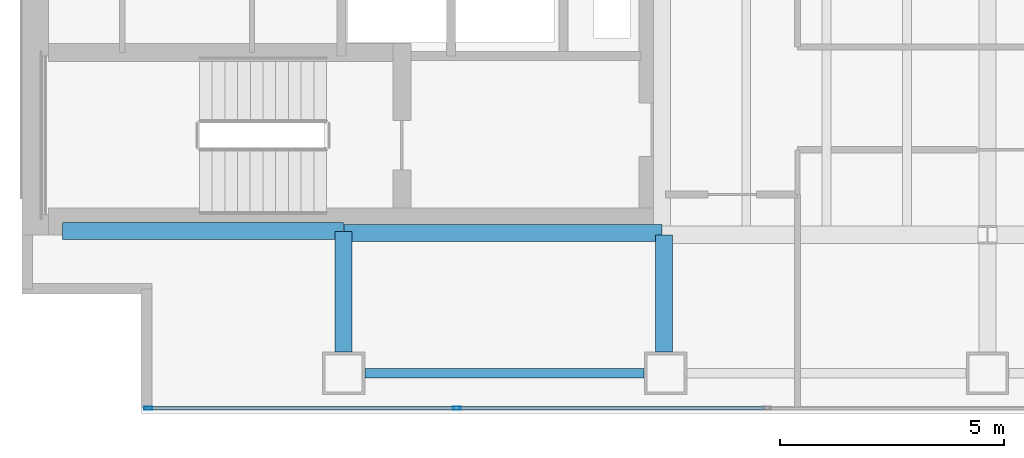
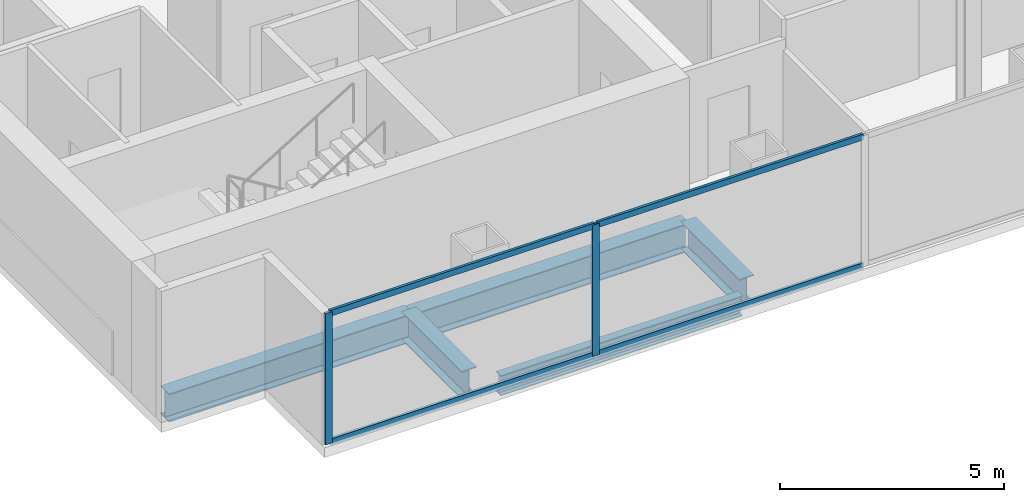
# One storey, part 2 of 23: 6 members, 5 beams, 1 element without a shape of its own.
"""IFC4 building model written with IfcOpenShell, lengths in metres."""

from ifc_helpers import new_model, si_unit, direction, frame, origin, origin_2d, place, context, subcontext, project, spatial, hollow_rectangle, i_section, extrude, material, material_profile, profile_set, type_object, element, aggregate, save


model = new_model("IFC4")

# Units and contexts
model_context = context("Model", 3, precision=1e-05, world=origin(), true_north=direction((0.0, 1.0)))
body_context = subcontext(model_context, "Body", "Model", "MODEL_VIEW")
ifc_project = project(units=[si_unit("LENGTHUNIT", "METRE"), si_unit("AREAUNIT", "SQUARE_METRE"), si_unit("VOLUMEUNIT", "CUBIC_METRE"), si_unit("PLANEANGLEUNIT", "RADIAN"), si_unit("MASSUNIT", "GRAM", prefix="KILO")], contexts=[model_context])

# Site, building, storey
site_placement = place(None, origin())
site = spatial("IfcSite", under=ifc_project, at=site_placement, CompositionType="ELEMENT")
building_placement = place(site_placement, origin())
building = spatial("IfcBuilding", under=site, at=building_placement, Name="Cobrela Telecom Tower", CompositionType="ELEMENT")
storey_placement = place(building_placement, frame((0.0, 0.0, 102.199951171875)))
storey = spatial("IfcBuildingStorey", under=building, at=storey_placement, Name="L25", CompositionType="ELEMENT", Elevation=102.199951171875)

# Beams
ifc_material_1 = material(Name="Steel ASTM A992 Grade 50", Category="steel")
ifc_material_profile_1 = material_profile(ifc_material_1, i_section(OverallWidth=0.381103515625, OverallDepth=0.77197265625, WebThickness=0.0166015625, FlangeThickness=0.027099609375, FilletRadius=0.01904296875, at=origin_2d()), Name="W30X173")
ifc_profile_set_1 = profile_set([ifc_material_profile_1], Name="Steel ASTM A992 Grade 50")
beam_type_1 = type_object("IfcBeamType", Name="BM-GIRD-04", PredefinedType="USERDEFINED", material=ifc_profile_set_1)
beam_1_placement = place(storey_placement, frame((0.905029296875, 7.280029296875, -0.656005859375), z_axis=(1.0, 0.0, 0.0), x_axis=(0.0, 1.0, 0.0)))
element("IfcBeam", 1, at=beam_1_placement, inside=storey, type_object=beam_type_1, Name="L25 Primary Girder X06", ObjectType="GIRDER", PredefinedType="USERDEFINED", context=body_context, shape_type="SweptSolid", body=[
    extrude(i_section(OverallWidth=0.381103515625, OverallDepth=0.77197265625, WebThickness=0.0166015625, FlangeThickness=0.027099609375, FilletRadius=0.01904296875, at=origin_2d()), origin(), (0.0, 0.0, 1.0), 6.2900390625),
])
beam_2_placement = place(storey_placement, frame((7.205078125, 7.239990234375, -0.656005859375), z_axis=(1.0, 0.0, 0.0), x_axis=(0.0, 1.0, 0.0)))
element("IfcBeam", 2, at=beam_2_placement, inside=storey, type_object=beam_type_1, Name="L25 Primary Girder X07", ObjectType="GIRDER", PredefinedType="USERDEFINED", context=body_context, shape_type="SweptSolid", body=[
    extrude(i_section(OverallWidth=0.381103515625, OverallDepth=0.77197265625, WebThickness=0.0166015625, FlangeThickness=0.027099609375, FilletRadius=0.01904296875, at=origin_2d()), origin(), (0.0, 0.0, 1.0), 7.10986328125),
])
beam_3_placement = place(storey_placement, frame((7.199951171875, 4.580078125, -0.656005859375), z_axis=(0.0, 1.0, 0.0), x_axis=(-1.0, 0.0, 0.0)))
element("IfcBeam", 3, at=beam_3_placement, inside=storey, type_object=beam_type_1, Name="L25 Primary Girder Y31", ObjectType="GIRDER", PredefinedType="USERDEFINED", context=body_context, shape_type="SweptSolid", body=[
    extrude(i_section(OverallWidth=0.381103515625, OverallDepth=0.77197265625, WebThickness=0.0166015625, FlangeThickness=0.027099609375, FilletRadius=0.01904296875, at=origin_2d()), origin(), (0.0, 0.0, 1.0), 2.69482421875),
])
beam_4_placement = place(storey_placement, frame((14.360107421875, 4.580078125, -0.656005859375), z_axis=(0.0, 1.0, 0.0), x_axis=(-1.0, 0.0, 0.0)))
element("IfcBeam", 4, at=beam_4_placement, inside=storey, type_object=beam_type_1, Name="L25 Primary Girder Y33", ObjectType="GIRDER", PredefinedType="USERDEFINED", context=body_context, shape_type="SweptSolid", body=[
    extrude(i_section(OverallWidth=0.381103515625, OverallDepth=0.77197265625, WebThickness=0.0166015625, FlangeThickness=0.027099609375, FilletRadius=0.01904296875, at=origin_2d()), origin(), (0.0, 0.0, 1.0), 2.614990234375),
])
ifc_material_profile_2 = material_profile(ifc_material_1, i_section(OverallWidth=0.212890625, OverallDepth=0.549072265625, WebThickness=0.0146484375, FlangeThickness=0.023681640625, FilletRadius=0.013916015625, at=origin_2d()), Name="W21X93")
ifc_profile_set_2 = profile_set([ifc_material_profile_2], Name="Steel ASTM A992 Grade 50")
beam_type_2 = type_object("IfcBeamType", Name="BM-SPAND-03", PredefinedType="SPANDREL", material=ifc_profile_set_2)
beam_5_placement = place(storey_placement, frame((7.679931640625, 4.10009765625, -0.54443359375), z_axis=(1.0, 0.0, 0.0), x_axis=(0.0, 1.0, 0.0)))
element("IfcBeam", 5, at=beam_5_placement, inside=storey, type_object=beam_type_2, Name="L25 Perimeter Spandrel X01", PredefinedType="SPANDREL", context=body_context, shape_type="SweptSolid", body=[
    extrude(i_section(OverallWidth=0.212890625, OverallDepth=0.549072265625, WebThickness=0.0146484375, FlangeThickness=0.023681640625, FilletRadius=0.013916015625, at=origin_2d()), origin(), (0.0, 0.0, 1.0), 6.239990234375),
])

# Curtain wall, members
ifc_material_2 = material(Name="Anodized Bronze Aluminium 6063-T6", Category="aluminium")
curtain_wall_type = type_object("IfcCurtainWallType", Name="CW-SYS-TEL", PredefinedType="USERDEFINED", material=ifc_material_2)
curtain_wall_placement = place(storey_placement, origin())
curtain_wall = element("IfcCurtainWall", 6, at=curtain_wall_placement, inside=storey, type_object=curtain_wall_type, Name="L25 Unitised Bronze Curtain Wall 17", ObjectType="UNITISED CURTAIN WALL", PredefinedType="USERDEFINED")
ifc_material_profile_3 = material_profile(ifc_material_2, hollow_rectangle(XDim=0.074951171875, YDim=0.179931640625, WallThickness=0.00390625, at=origin_2d()), Name="ALU 75x180x4")
ifc_profile_set_3 = profile_set([ifc_material_profile_3], Name="Anodized Bronze Aluminium 6063-T6")
member_type_1 = type_object("IfcMemberType", Name="CW-SYS-TEL-MUL", PredefinedType="MULLION", material=ifc_profile_set_3)
member_1_placement = place(storey_placement, frame((9.7265625, 3.320068359375, 0.0), z_axis=(0.0, 0.0, 1.0), x_axis=(0.0, -1.0, 0.0)))
member_1 = element("IfcMember", 7, at=member_1_placement, type_object=member_type_1, Name="CW-TEL mullion 6", PredefinedType="MULLION", context=body_context, shape_type="SweptSolid", body=[
    extrude(hollow_rectangle(XDim=0.074951171875, YDim=0.179931640625, WallThickness=0.00390625, at=origin_2d()), origin(), (0.0, 0.0, 1.0), 3.580078125),
])
member_2_placement = place(storey_placement, frame((2.827392578125, 3.320068359375, 0.0), z_axis=(0.0, 0.0, 1.0), x_axis=(0.0, -1.0, 0.0)))
member_2 = element("IfcMember", 8, at=member_2_placement, type_object=member_type_1, Name="CW-TEL mullion 7", PredefinedType="MULLION", context=body_context, shape_type="SweptSolid", body=[
    extrude(hollow_rectangle(XDim=0.074951171875, YDim=0.179931640625, WallThickness=0.00390625, at=origin_2d()), origin(), (0.0, 0.0, 1.0), 3.580078125),
])
ifc_material_profile_4 = material_profile(ifc_material_2, hollow_rectangle(XDim=0.070068359375, YDim=0.159912109375, WallThickness=0.00390625, at=origin_2d()), Name="ALU 70x160x4")
ifc_profile_set_4 = profile_set([ifc_material_profile_4], Name="Anodized Bronze Aluminium 6063-T6")
member_type_2 = type_object("IfcMemberType", Name="CW-SYS-TEL-TRN", PredefinedType="USERDEFINED", material=ifc_profile_set_4)
member_3_placement = place(storey_placement, frame((16.625732421875, 3.320068359375, 0.03515625), z_axis=(-1.0, 0.0, 0.0), x_axis=(0.0, -1.0, 0.0)))
member_3 = element("IfcMember", 9, at=member_3_placement, type_object=member_type_2, Name="CW-TEL transom 5.1", ObjectType="TRANSOM", PredefinedType="USERDEFINED", context=body_context, shape_type="SweptSolid", body=[
    extrude(hollow_rectangle(XDim=0.070068359375, YDim=0.159912109375, WallThickness=0.00390625, at=origin_2d()), origin(), (0.0, 0.0, 1.0), 6.861572265625),
])
member_4_placement = place(storey_placement, frame((16.625732421875, 3.320068359375, 3.545166015625), z_axis=(-1.0, 0.0, 0.0), x_axis=(0.0, -1.0, 0.0)))
member_4 = element("IfcMember", 10, at=member_4_placement, type_object=member_type_2, Name="CW-TEL transom 5.2", ObjectType="TRANSOM", PredefinedType="USERDEFINED", context=body_context, shape_type="SweptSolid", body=[
    extrude(hollow_rectangle(XDim=0.070068359375, YDim=0.159912109375, WallThickness=0.00390625, at=origin_2d()), origin(), (0.0, 0.0, 1.0), 6.861572265625),
])
member_5_placement = place(storey_placement, frame((9.689208984375, 3.320068359375, 0.03515625), z_axis=(-1.0, 0.0, 0.0), x_axis=(0.0, -1.0, 0.0)))
member_5 = element("IfcMember", 11, at=member_5_placement, type_object=member_type_2, Name="CW-TEL transom 6.1", ObjectType="TRANSOM", PredefinedType="USERDEFINED", context=body_context, shape_type="SweptSolid", body=[
    extrude(hollow_rectangle(XDim=0.070068359375, YDim=0.159912109375, WallThickness=0.00390625, at=origin_2d()), origin(), (0.0, 0.0, 1.0), 6.82421875),
])
member_6_placement = place(storey_placement, frame((9.689208984375, 3.320068359375, 3.545166015625), z_axis=(-1.0, 0.0, 0.0), x_axis=(0.0, -1.0, 0.0)))
member_6 = element("IfcMember", 12, at=member_6_placement, type_object=member_type_2, Name="CW-TEL transom 6.2", ObjectType="TRANSOM", PredefinedType="USERDEFINED", context=body_context, shape_type="SweptSolid", body=[
    extrude(hollow_rectangle(XDim=0.070068359375, YDim=0.159912109375, WallThickness=0.00390625, at=origin_2d()), origin(), (0.0, 0.0, 1.0), 6.82421875),
])
aggregate(curtain_wall, [member_1, member_2, member_3, member_4, member_5, member_6])

save(model, "model.ifc")
